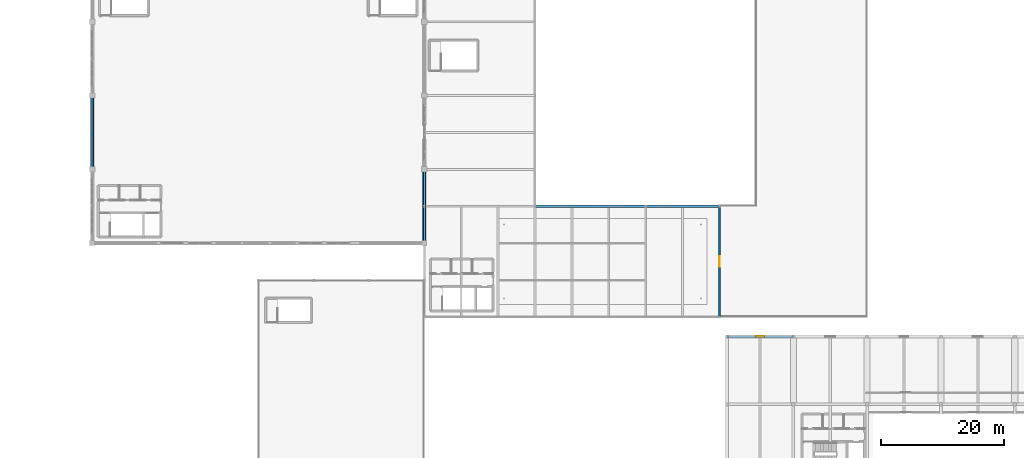
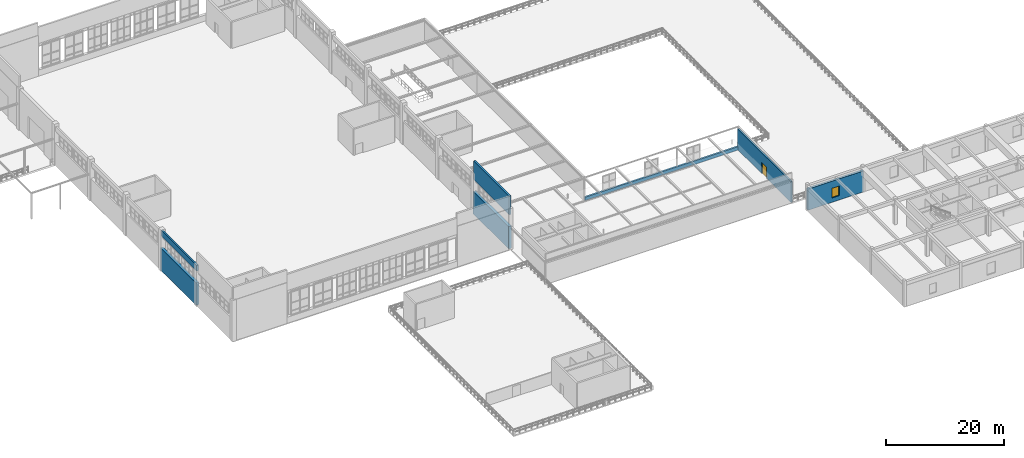
# One storey, part 79 of 97: 7 walls, 1 door, 1 window, 2 openings.
"""IFC4 building model written with IfcOpenShell, lengths in metres."""

from ifc_helpers import new_model, si_unit, derived_unit, direction, frame, frame_2d, origin, place, context, subcontext, project, spatial, rectangle, extrude, material, layer, layer_set, type_object, element, fill, save


model = new_model("IFC4")

# Units and contexts
model_context = context("Model", 3, precision=1e-05, world=origin(), true_north=direction((0.0, 1.0)))
body_context = subcontext(model_context, "Body", "Model", "MODEL_VIEW")
ifc_project = project(units=[si_unit("LENGTHUNIT", "METRE"), si_unit("AREAUNIT", "SQUARE_METRE"), si_unit("VOLUMEUNIT", "CUBIC_METRE"), si_unit("PLANEANGLEUNIT", "RADIAN"), si_unit("MASSUNIT", "GRAM", prefix="KILO"), derived_unit("THERMALTRANSMITTANCEUNIT", [(si_unit("POWERUNIT", "WATT"), 1), (si_unit("LENGTHUNIT", "METRE"), -2), (si_unit("THERMODYNAMICTEMPERATUREUNIT", "KELVIN"), -1)])], contexts=[model_context])

# Site, building, storey
site_placement = place(None, origin())
site = spatial("IfcSite", under=ifc_project, at=site_placement, CompositionType="ELEMENT")
building_placement = place(site_placement, origin())
building = spatial("IfcBuilding", under=site, at=building_placement, Name="Almenara Railside Exhibition Hall", CompositionType="ELEMENT")
storey_placement = place(building_placement, frame((0.0, 0.0, 10.800048828125)))
storey = spatial("IfcBuildingStorey", under=building, at=storey_placement, Name="L02", CompositionType="ELEMENT", Elevation=10.800048828125)

# Wall, opening, door
ifc_material_1 = material(Name="Ochre-white lime-rendered masonry over Concrete C35/45", Category="masonry")
ifc_layer_1 = layer(ifc_material_1, 0.3349609375, Name="Ochre-white lime-rendered masonry over Concrete C35/45")
ifc_layer_set_1 = layer_set([ifc_layer_1], Name="Ochre-white lime-rendered masonry over Concrete C35/45")
wall_type_1 = type_object("IfcWallType", Name="Exterior Belvedere Wall 335mm C35/45", PredefinedType="SOLIDWALL", material=ifc_layer_set_1)
wall_1_placement = place(storey_placement, frame((114.0, 36.0, 0.0), z_axis=(0.0, 0.0, 1.0), x_axis=(0.0, 1.0, 0.0)))
wall_1 = element("IfcWall", 1, at=wall_1_placement, inside=storey, type_object=wall_type_1, Name="Exterior wall 0166", PredefinedType="SOLIDWALL", context=body_context, shape_type="SweptSolid", body=[
    extrude(rectangle(XDim=18.0, YDim=0.3349609375, at=frame_2d((9.0, 0.0))), origin(), (0.0, 0.0, 1.0), 4.300048828125),
])
opening_1_placement = place(wall_1_placement, frame((8.199951171875, 0.0, 0.0)))
opening_1 = element("IfcOpeningElement", 2, at=opening_1_placement, cuts=wall_1, Name="Opening TD-01", PredefinedType="OPENING", context=body_context, shape_type="SweptSolid", body=[
    extrude(rectangle(XDim=1.64990234375, YDim=2.300048828125, at=frame_2d((0.824951171875, 1.14990234375))), frame((0.0, 0.177490234375, 0.0), z_axis=(0.0, -1.0, 0.0), x_axis=(1.0, 0.0, 0.0)), (0.0, 0.0, 1.0), 0.35498046875),
])
ifc_material_2 = material(Name="Bronze-anodised glazed terrace door")
door_type = type_object("IfcDoorType", Name="Roof Garden Glazed Terrace Door 1650x2300", OperationType="NOTDEFINED", PredefinedType="DOOR", material=ifc_material_2)
door_placement = place(opening_1_placement, origin())
door = element("IfcDoor", 3, at=door_placement, inside=storey, type_object=door_type, Name="Exterior door TD-01", OperationType="DOUBLE_DOOR_SINGLE_SWING", OverallHeight=2.300048828125, OverallWidth=1.64990234375, PredefinedType="DOOR", context=body_context, shape_type="SweptSolid", body=[
    extrude(rectangle(XDim=1.64990234375, YDim=2.300048828125, at=frame_2d((0.824951171875, 1.14990234375))), frame((0.0, 0.02490234375, 0.0), z_axis=(0.0, -1.0, 0.0), x_axis=(1.0, 0.0, 0.0)), (0.0, 0.0, 1.0), 0.050048828125),
])
fill(opening_1, door)

# Walls
wall_2_placement = place(storey_placement, frame((114.0, 54.0, 0.0), z_axis=(0.0, 0.0, 1.0), x_axis=(-1.0, 0.0, 0.0)))
element("IfcWall", 4, at=wall_2_placement, inside=storey, type_object=wall_type_1, Name="Exterior wall 0170", PredefinedType="SOLIDWALL", context=body_context, shape_type="SweptSolid", body=[
    extrude(rectangle(XDim=30.0, YDim=0.3349609375, at=frame_2d((15.0, 0.0))), origin(), (0.0, 0.0, 1.0), 0.699951171875),
])
wall_3_placement = place(storey_placement, frame((66.0, 48.0, 7.0), z_axis=(0.0, 0.0, 1.0), x_axis=(0.0, 1.0, 0.0)))
element("IfcWall", 5, at=wall_3_placement, inside=storey, type_object=wall_type_1, Name="Exterior wall 0312", PredefinedType="SOLIDWALL", context=body_context, shape_type="SweptSolid", body=[
    extrude(rectangle(XDim=12.0, YDim=0.3349609375, at=frame_2d((6.0, 0.0))), origin(), (0.0, 0.0, 1.0), 3.849853515625),
])
wall_4_placement = place(storey_placement, frame((12.0, 72.0, 7.0), z_axis=(0.0, 0.0, 1.0), x_axis=(0.0, -1.0, 0.0)))
element("IfcWall", 6, at=wall_4_placement, inside=storey, type_object=wall_type_1, Name="Exterior wall 0313", PredefinedType="SOLIDWALL", context=body_context, shape_type="SweptSolid", body=[
    extrude(rectangle(XDim=12.0, YDim=0.3349609375, at=frame_2d((6.0, 0.0))), origin(), (0.0, 0.0, 1.0), 1.2099609375),
])

# Wall, opening, window
ifc_layer_2 = layer(ifc_material_1, 0.449951171875, Name="Ochre-white lime-rendered masonry over Concrete C35/45")
ifc_layer_set_2 = layer_set([ifc_layer_2], Name="Ochre-white lime-rendered masonry over Concrete C35/45")
wall_type_2 = type_object("IfcWallType", Name="Exterior Civic Stucco Wall 450mm C35/45", PredefinedType="SOLIDWALL", material=ifc_layer_set_2)
wall_5_placement = place(storey_placement, frame((126.0, 32.800048828125, 0.0), z_axis=(0.0, 0.0, 1.0), x_axis=(-1.0, 0.0, 0.0)))
wall_5 = element("IfcWall", 7, at=wall_5_placement, inside=storey, type_object=wall_type_2, Name="Exterior wall 0245", PredefinedType="SOLIDWALL", context=body_context, shape_type="SweptSolid", body=[
    extrude(rectangle(XDim=10.800048828125, YDim=0.449951171875, at=frame_2d((5.39990234375, 0.0))), origin(), (0.0, 0.0, 1.0), 4.349853515625),
])
opening_2_placement = place(wall_5_placement, frame((4.699951171875, 0.0, 0.89990234375)))
opening_2 = element("IfcOpeningElement", 8, at=opening_2_placement, cuts=wall_5, Name="Opening W-09", PredefinedType="OPENING", context=body_context, shape_type="SweptSolid", body=[
    extrude(rectangle(XDim=1.39990234375, YDim=2.0, at=frame_2d((0.699951171875, 1.0))), frame((0.0, 0.23486328125, 0.0), z_axis=(0.0, -1.0, 0.0), x_axis=(1.0, 0.0, 0.0)), (0.0, 0.0, 1.0), 0.469970703125),
])
ifc_material_3 = material(Name="Bronze-anodised aluminium and low-E double glazing", Category="aluminium")
window_type = type_object("IfcWindowType", Name="Office Deep-Reveal Window 1400x2000", PartitioningType="DOUBLE_PANEL_VERTICAL", PredefinedType="WINDOW", material=ifc_material_3)
window_placement = place(opening_2_placement, origin())
window = element("IfcWindow", 9, at=window_placement, inside=storey, type_object=window_type, Name="Window 0094", OverallHeight=2.0, OverallWidth=1.39990234375, PartitioningType="DOUBLE_PANEL_VERTICAL", PredefinedType="WINDOW", context=body_context, shape_type="SweptSolid", body=[
    extrude(rectangle(XDim=1.39990234375, YDim=2.0, at=frame_2d((0.699951171875, 1.0))), frame((0.0, 0.030029296875, 0.0), z_axis=(0.0, -1.0, 0.0), x_axis=(1.0, 0.0, 0.0)), (0.0, 0.0, 1.0), 0.06005859375),
])
fill(opening_2, window)

# Walls
ifc_layer_3 = layer(ifc_material_1, 0.5400390625, Name="Ochre-white lime-rendered masonry over Concrete C35/45")
ifc_layer_set_3 = layer_set([ifc_layer_3], Name="Ochre-white lime-rendered masonry over Concrete C35/45")
wall_type_3 = type_object("IfcWallType", Name="Exterior West Hall Thermal Wall 540mm C35/45", PredefinedType="SOLIDWALL", material=ifc_layer_set_3)
for number, where, z_axis, x_axis, name in (
    (10, (66.0, 48.0, 0.0), (0.0, 0.0, 1.0), (0.0, 1.0, 0.0), "Exterior wall 0026"),
    (11, (12.0, 72.0, 0.0), (0.0, 0.0, 1.0), (0.0, -1.0, 0.0), "Exterior wall 0029"),
):
    element("IfcWall", number, at=place(storey_placement, frame(where, z_axis=z_axis, x_axis=x_axis)), inside=storey, type_object=wall_type_3, Name=name, PredefinedType="SOLIDWALL", context=body_context, shape_type="SweptSolid", body=[
        extrude(rectangle(XDim=12.0, YDim=0.5400390625, at=frame_2d((6.0, 0.0))), origin(), (0.0, 0.0, 1.0), 4.599853515625),
    ])

save(model, "model.ifc")
